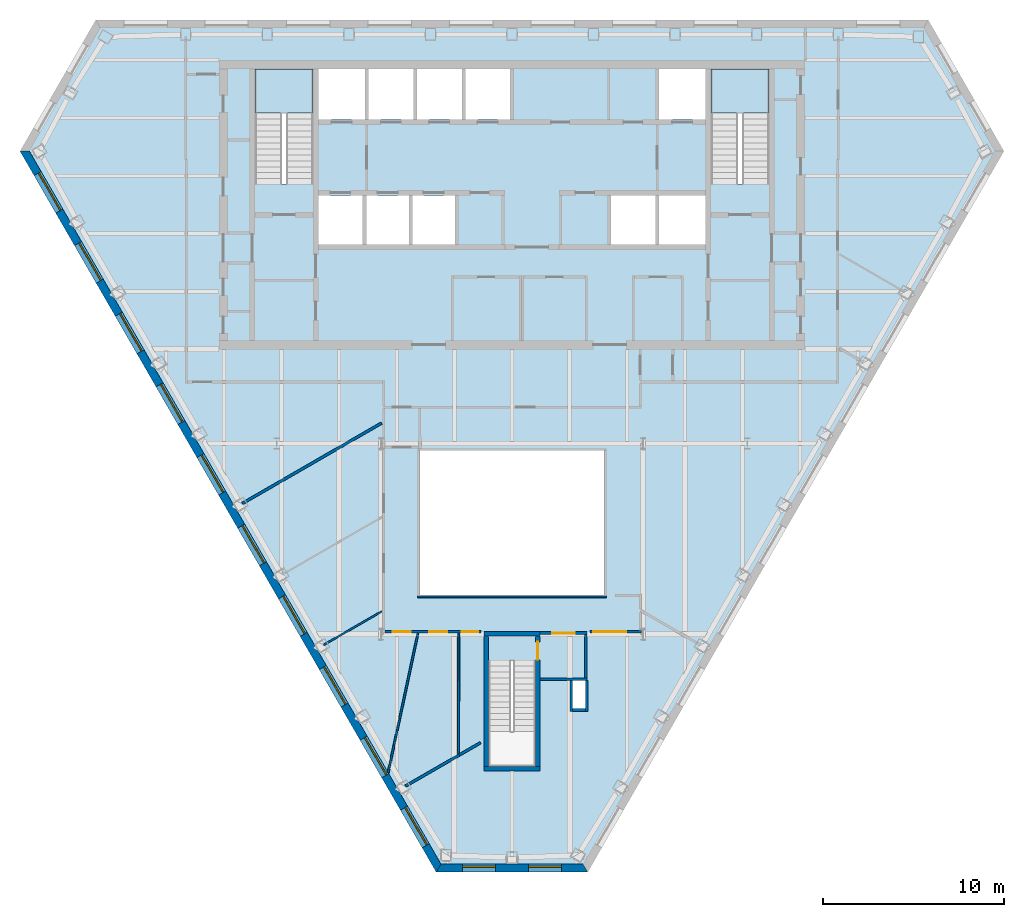
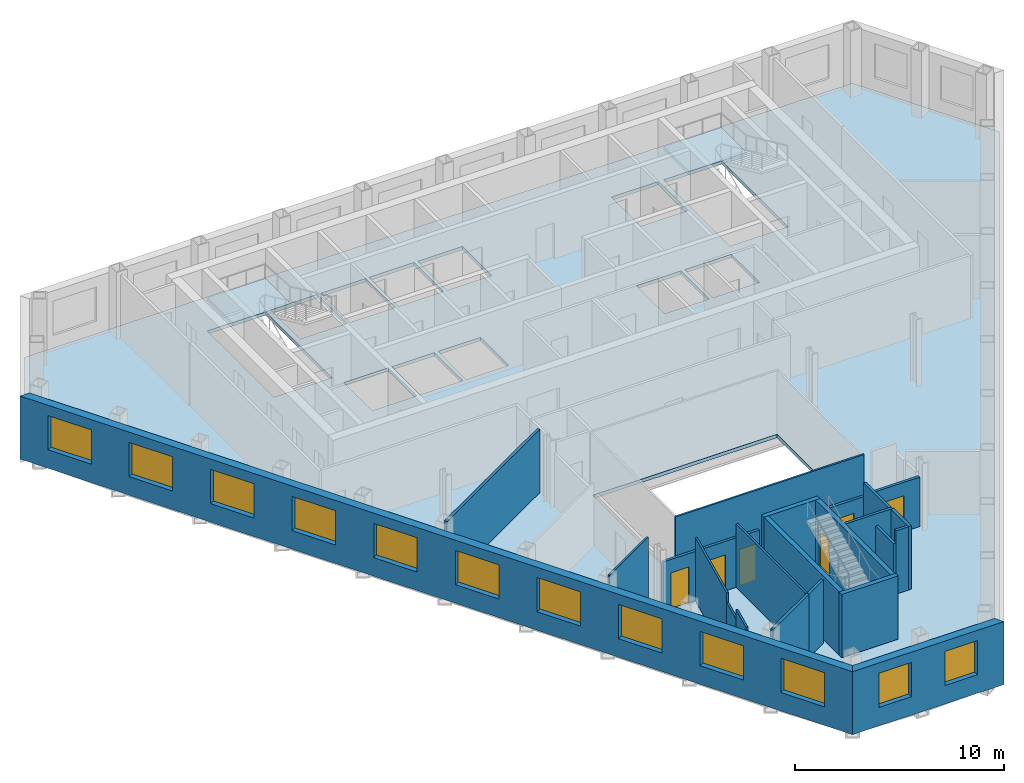
# One storey, part 4 of 11: 23 walls, 12 windows, 6 doors, 3 slabs, 18 openings, 2 elements without a shape of their own.
"""IFC4 building model written with IfcOpenShell, lengths in metres."""

import ifcopenshell
import ifcopenshell.guid

model = None  # the IFC model being written
_history = None  # IfcOwnerHistory: only IFC2X3 demands one
_inside = {}  # id of a spatial element -> (the spatial element, [elements in it])
_under = {}  # id of a project, library or spatial element -> (it, [spatial elements below it])
_declared = {}  # id of a project -> (the project, [libraries it declares])
_typed = {}  # id of a type object -> (the type object, [elements of that type])
_made_of = {}  # id of a material, layer set ... -> (it, [elements and type objects made of it])


def new_model(schema):
    """Start an empty IFC model of exactly this schema.

    Asked for "IFC4X3", IfcOpenShell would pick the latest addendum, in which some entities
    have other attributes; the version numbers below select the first issue.
    IFC2X3 requires an IfcOwnerHistory on every rooted entity: one is made here for all.
    """
    global model, _history
    if schema == "IFC4X3":
        model = ifcopenshell.file(schema_version=(4, 3, 0, 0))
    else:
        model = ifcopenshell.file(schema=schema)
    _inside.clear()
    _under.clear()
    _declared.clear()
    _typed.clear()
    _made_of.clear()
    _history = None
    if model.schema == "IFC2X3":
        org = make("IfcOrganization", Name="unknown")
        user = make(
            "IfcPersonAndOrganization",
            ThePerson=make("IfcPerson", FamilyName="unknown"),
            TheOrganization=org,
        )
        app = make(
            "IfcApplication",
            ApplicationDeveloper=org,
            Version="unknown",
            ApplicationFullName="unknown",
            ApplicationIdentifier="unknown",
        )
        _history = make(
            "IfcOwnerHistory",
            OwningUser=user,
            OwningApplication=app,
            ChangeAction="ADDED",
            CreationDate=0,
        )
    return model


def make(cls, **values):
    """One entity of the class cls with the attributes given. An attribute that is None is left unset."""
    return model.create_entity(
        cls, **{name: value for name, value in values.items() if value is not None}
    )


def rooted(cls, **values):
    """An entity with a GlobalId (a new one), such as an element, a storey or a relation."""
    return make(cls, GlobalId=ifcopenshell.guid.new(), OwnerHistory=_history, **values)


def si_unit(unit_type, name, prefix=None):
    """IfcSIUnit, for example si_unit("LENGTHUNIT", "METRE", prefix="MILLI")."""
    return make("IfcSIUnit", UnitType=unit_type, Prefix=prefix, Name=name)


def assignment(units):
    """IfcUnitAssignment: the units of a project."""
    return None if units is None else make("IfcUnitAssignment", Units=units)


def point(xyz):
    """IfcCartesianPoint."""
    return None if xyz is None else make("IfcCartesianPoint", Coordinates=xyz)


def direction(xyz):
    """IfcDirection."""
    return None if xyz is None else make("IfcDirection", DirectionRatios=xyz)


def frame(location, z_axis=None, x_axis=None):
    """IfcAxis2Placement3D, a coordinate frame: its origin and axes. An axis left out is left unset."""
    return make(
        "IfcAxis2Placement3D",
        Location=point(location),
        Axis=direction(z_axis),
        RefDirection=direction(x_axis),
    )


def frame_2d(location, x_axis=None):
    """IfcAxis2Placement2D, a coordinate frame in the plane: its origin and x axis."""
    return make(
        "IfcAxis2Placement2D", Location=point(location), RefDirection=direction(x_axis)
    )


def origin():
    """The frame at (0, 0, 0) with its axes left unset."""
    return frame((0.0, 0.0, 0.0))


def place(relative_to, where):
    """IfcLocalPlacement: puts the frame where relative to a parent placement (None: the world)."""
    return make(
        "IfcLocalPlacement", PlacementRelTo=relative_to, RelativePlacement=where
    )


def context(
    kind, dimensions, precision=None, world=None, true_north=None, identifier=None
):
    """IfcGeometricRepresentationContext, for example the 3D "Model" context."""
    return make(
        "IfcGeometricRepresentationContext",
        ContextIdentifier=identifier,
        ContextType=kind,
        CoordinateSpaceDimension=dimensions,
        Precision=precision,
        WorldCoordinateSystem=world,
        TrueNorth=true_north,
    )


def subcontext(parent, identifier, kind, view, scale=None):
    """IfcGeometricRepresentationSubContext, for example "Body" below "Model"."""
    return make(
        "IfcGeometricRepresentationSubContext",
        ContextIdentifier=identifier,
        ContextType=kind,
        ParentContext=parent,
        TargetScale=scale,
        TargetView=view,
    )


def project(units=None, contexts=None):
    """IfcProject with its units and contexts."""
    return rooted(
        "IfcProject",
        Name="project",
        RepresentationContexts=contexts,
        UnitsInContext=assignment(units),
    )


def spatial(cls, under=None, at=None, **own):
    """A site, building, storey or space (cls), placed at a placement, below another one or the project."""
    s = rooted(cls, ObjectPlacement=at, **own)
    if under is not None:
        _under.setdefault(under.id(), (under, []))[1].append(s)
    return s


def polyline(points):
    """IfcPolyline through the points."""
    return make("IfcPolyline", Points=[point(p) for p in points])


def profile(cls, at=None, kind="AREA", **sizes):
    """A parametric profile (cls). Its sizes go by their IFC names, for example OverallWidth=200.0."""
    return make(cls, ProfileType=kind, Position=at, **sizes)


def rectangle(**sizes):
    """IfcRectangleProfileDef."""
    return profile("IfcRectangleProfileDef", **sizes)


def outline(outer, holes=None, kind="AREA"):
    """IfcArbitraryClosedProfileDef: a profile drawn as a closed curve; with holes, ...WithVoids."""
    if holes is None:
        return make("IfcArbitraryClosedProfileDef", ProfileType=kind, OuterCurve=outer)
    return make(
        "IfcArbitraryProfileDefWithVoids",
        ProfileType=kind,
        OuterCurve=outer,
        InnerCurves=holes,
    )


def extrude(swept, where, along, depth):
    """IfcExtrudedAreaSolid: the profile swept, set in the frame where, extruded along a direction by depth."""
    return make(
        "IfcExtrudedAreaSolid",
        SweptArea=swept,
        Position=where,
        ExtrudedDirection=direction(along),
        Depth=depth,
    )


def shape(context_of_items, identifier, shape_type, items):
    """IfcShapeRepresentation: the items that make up one representation, for example the "Body"."""
    return make(
        "IfcShapeRepresentation",
        ContextOfItems=context_of_items,
        RepresentationIdentifier=identifier,
        RepresentationType=shape_type,
        Items=items,
    )


def material(Name=None, Category=None):
    """IfcMaterial."""
    return make("IfcMaterial", Name=Name, Category=Category)


def layer(
    of_material, thickness, ventilated=None, Name=None, Category=None, Priority=None
):
    """IfcMaterialLayer: one layer of a wall or slab, of a material (None: an air gap)."""
    return make(
        "IfcMaterialLayer",
        Material=of_material,
        LayerThickness=thickness,
        IsVentilated=ventilated,
        Name=Name,
        Category=Category,
        Priority=Priority,
    )


def layer_set(layers, Name=None):
    """IfcMaterialLayerSet."""
    return make("IfcMaterialLayerSet", MaterialLayers=layers, LayerSetName=Name)


def made_of(thing, what):
    """Note that an element or type object is made of a material, layer set ...; save() writes the relation."""
    if what is not None:
        _made_of.setdefault(what.id(), (what, []))[1].append(thing)
    return thing


def type_object(cls, material=None, **own):
    """A type object (cls), such as IfcWallType, which elements share."""
    return made_of(rooted(cls, **own), material)


def element(
    cls,
    number,
    at=None,
    inside=None,
    cuts=None,
    type_object=None,
    material=None,
    context=None,
    identifier="Body",
    shape_type=None,
    held_by="IfcProductDefinitionShape",
    body=None,
    shapes=None,
    **own,
):
    """One element of the class cls, such as IfcWall. Its Tag is "e" and its number.

    at: its placement. inside: the storey or other place that contains it. cuts: it is an
    opening in that element (IfcRelVoidsElement). A single representation is given by context,
    identifier, shape_type and body (its items); several are given by shapes. held_by: the class
    of the entity that holds the representations. save() writes the other relations.
    """
    e = rooted(cls, Tag="e%d" % number, ObjectPlacement=at, **own)
    if body is not None:
        shapes = [shape(context, identifier, shape_type, body)]
    if shapes is not None:
        e.Representation = make(held_by, Representations=shapes)
    if inside is not None:
        _inside.setdefault(inside.id(), (inside, []))[1].append(e)
    if cuts is not None:
        rooted(
            "IfcRelVoidsElement", RelatingBuildingElement=cuts, RelatedOpeningElement=e
        )
    if type_object is not None:
        _typed.setdefault(type_object.id(), (type_object, []))[1].append(e)
    return made_of(e, material)


def fill(opening, filler):
    """IfcRelFillsElement: the door or window that sits in an opening."""
    return rooted(
        "IfcRelFillsElement",
        RelatingOpeningElement=opening,
        RelatedBuildingElement=filler,
    )


def aggregate(whole, parts):
    """IfcRelAggregates: a whole, such as a stair, and the parts it consists of."""
    return rooted("IfcRelAggregates", RelatingObject=whole, RelatedObjects=parts)


def save(model, path):
    """Write the relations noted so far, then the file.

    IfcRelAggregates (storeys below a building ...), IfcRelContainedInSpatialStructure (elements
    in a storey), IfcRelDefinesByType, IfcRelAssociatesMaterial and IfcRelDeclares: one each for
    every whole, place, type object, material and project.
    """
    for whole, parts in _under.values():
        aggregate(whole, parts)
    for where, things in _inside.values():
        rooted(
            "IfcRelContainedInSpatialStructure",
            RelatedElements=things,
            RelatingStructure=where,
        )
    for kind, things in _typed.values():
        rooted("IfcRelDefinesByType", RelatedObjects=things, RelatingType=kind)
    for what, things in _made_of.values():
        rooted("IfcRelAssociatesMaterial", RelatedObjects=things, RelatingMaterial=what)
    for by, libraries in _declared.values():
        rooted("IfcRelDeclares", RelatingContext=by, RelatedDefinitions=libraries)
    model.write(path)


model = new_model("IFC4")

# Units and contexts
model_context = context("Model", 3, precision=1e-05, world=origin(), true_north=direction((0.0, 1.0)))
body_context = subcontext(model_context, "Body", "Model", "MODEL_VIEW")
ifc_project = project(units=[si_unit("LENGTHUNIT", "METRE"), si_unit("AREAUNIT", "SQUARE_METRE"), si_unit("VOLUMEUNIT", "CUBIC_METRE"), si_unit("PLANEANGLEUNIT", "RADIAN"), si_unit("MASSUNIT", "GRAM", prefix="KILO")], contexts=[model_context])

# Site, building, storey
site_placement = place(None, origin())
site = spatial("IfcSite", under=ifc_project, at=site_placement, CompositionType="ELEMENT")
building_placement = place(site_placement, origin())
building = spatial("IfcBuilding", under=site, at=building_placement, Name="Njiva Tower", CompositionType="ELEMENT")
storey_placement = place(building_placement, frame((0.0, 0.0, 163.2)))
storey = spatial("IfcBuildingStorey", under=building, at=storey_placement, Name="L35", CompositionType="ELEMENT", Elevation=163.2)

# Stair, slab
ifc_material_1 = material(Name="Concrete C40/50", Category="concrete")
stair_type = type_object("IfcStairType", Name="ST4 Exit stair 1500", PredefinedType="HALF_TURN_STAIR", material=ifc_material_1)
stair_1_placement = place(storey_placement, origin())
stair_1 = element("IfcStair", 1, at=stair_1_placement, inside=storey, type_object=stair_type, Name="Stair A", PredefinedType="HALF_TURN_STAIR")
ifc_layer_1 = layer(ifc_material_1, 0.2)
ifc_layer_set_1 = layer_set([ifc_layer_1], Name="Concrete C40/50")
slab_type_1 = type_object("IfcSlabType", Name="FL9 Stair landing 200", PredefinedType="LANDING", material=ifc_layer_set_1)
slab_1_placement = place(storey_placement, frame((0.0, 0.0, 1.75)))
slab_1 = element("IfcSlab", 2, at=slab_1_placement, type_object=slab_type_1, Name="ST-A landing 1", PredefinedType="LANDING", context=body_context, shape_type="SweptSolid", body=[
    extrude(outline(polyline([(-14.206, 15.06), (-10.994, 15.06), (-10.994, 17.5), (-14.206, 17.5), (-14.206, 15.06)])), origin(), (0.0, 0.0, 1.0), 0.2),
])
aggregate(stair_1, [slab_1])

stair_2_placement = place(storey_placement, origin())
stair_2 = element("IfcStair", 3, at=stair_2_placement, inside=storey, type_object=stair_type, Name="Stair B", PredefinedType="HALF_TURN_STAIR")
slab_2_placement = place(storey_placement, frame((0.0, 0.0, 1.75)))
slab_2 = element("IfcSlab", 4, at=slab_2_placement, type_object=slab_type_1, Name="ST-B landing 1", PredefinedType="LANDING", context=body_context, shape_type="SweptSolid", body=[
    extrude(outline(polyline([(10.994, 15.06), (14.206, 15.06), (14.206, 17.5), (10.994, 17.5), (10.994, 15.06)])), origin(), (0.0, 0.0, 1.0), 0.2),
])
aggregate(stair_2, [slab_2])

# Slab
ifc_material_2 = material(Name="Concrete C30/37", Category="concrete")
ifc_layer_2 = layer(ifc_material_2, 0.2)
ifc_layer_set_2 = layer_set([ifc_layer_2], Name="Concrete C30/37")
slab_type_2 = type_object("IfcSlabType", Name="SL16 Composite floor slab 200", PredefinedType="FLOOR", material=ifc_layer_set_2)
slab_3_placement = place(storey_placement, frame((0.0, 0.0, -0.2)))
element("IfcSlab", 5, at=slab_3_placement, inside=storey, type_object=slab_type_2, Name="Floor slab L35", PredefinedType="FLOOR", context=body_context, shape_type="SweptSolid", body=[
    extrude(outline(polyline([(26.9252, 12.9514), (4.0551, -26.6608), (-4.0551, -26.6608), (-26.9252, 12.9514), (-22.8701, 19.975), (22.8701, 19.975), (26.9252, 12.9514)]), holes=[polyline([(10.994, 11.13), (14.206, 11.13), (14.206, 17.5), (10.994, 17.5), (10.994, 11.13)]), polyline([(8.125, 14.7), (10.7, 14.7), (10.7, 17.5), (8.125, 17.5), (8.125, 14.7)]), polyline([(8.1333, 7.8), (10.7, 7.8), (10.7, 10.5), (8.1333, 10.5), (8.1333, 7.8)]), polyline([(5.4667, 7.8), (7.9333, 7.8), (7.9333, 10.5), (5.4667, 10.5), (5.4667, 7.8)]), polyline([(5.09, -11.6), (5.09, -3.6), (-5.09, -3.6), (-5.09, -11.6), (5.09, -11.6)]), polyline([(3.35, -17.85), (4.05, -17.85), (4.05, -16.3), (3.35, -16.3), (3.35, -17.85)]), polyline([(-1.306, -21.05), (1.306, -21.05), (1.306, -15.19), (-1.306, -15.19), (-1.306, -21.05)]), polyline([(-2.575, 14.7), (-0.1, 14.7), (-0.1, 17.5), (-2.575, 17.5), (-2.575, 14.7)]), polyline([(-5.25, 14.7), (-2.775, 14.7), (-2.775, 17.5), (-5.25, 17.5), (-5.25, 14.7)]), polyline([(-5.5, 7.8), (-3.15, 7.8), (-3.15, 10.5), (-5.5, 10.5), (-5.5, 7.8)]), polyline([(-7.925, 14.7), (-5.45, 14.7), (-5.45, 17.5), (-7.925, 17.5), (-7.925, 14.7)]), polyline([(-8.05, 7.8), (-5.7, 7.8), (-5.7, 10.5), (-8.05, 10.5), (-8.05, 7.8)]), polyline([(-10.7, 14.7), (-8.125, 14.7), (-8.125, 17.5), (-10.7, 17.5), (-10.7, 14.7)]), polyline([(-8.25, 7.8), (-8.25, 10.5), (-10.7, 10.5), (-10.7, 7.8), (-8.25, 7.8)]), polyline([(-14.206, 11.13), (-10.994, 11.13), (-10.994, 17.5), (-14.206, 17.5), (-14.206, 11.13)])]), origin(), (0.0, 0.0, 1.0), 0.2),
])

# Walls
ifc_material_3 = material(Name="Gypsum board on steel studs", Category="gypsum")
ifc_layer_3 = layer(ifc_material_3, 0.1)
ifc_layer_set_3 = layer_set([ifc_layer_3], Name="Gypsum board on steel studs")
wall_type_1 = type_object("IfcWallType", Name="WT20 Gypsum partition 100", PredefinedType="PARTITIONING", material=ifc_layer_set_3)
wall_1_placement = place(storey_placement, frame((-10.398, -14.325, 0.0), z_axis=(0.0, 0.0, 1.0), x_axis=(0.866041729639, 0.499971721724, 0.0)))
element("IfcWall", 6, at=wall_1_placement, inside=storey, type_object=wall_type_1, Name="Partition S12-P007", PredefinedType="PARTITIONING", context=body_context, shape_type="SweptSolid", body=[
    extrude(rectangle(XDim=3.7042, YDim=0.1, at=frame_2d((1.8521, 0.0))), origin(), (0.0, 0.0, 1.0), 3.7),
])
wall_2_placement = place(storey_placement, frame((-6.844, -21.38, 0.0), z_axis=(0.0, 0.0, 1.0), x_axis=(0.209529088731, 0.977802414077, 0.0)))
element("IfcWall", 7, at=wall_2_placement, inside=storey, type_object=wall_type_1, Name="Partition S12-P013", PredefinedType="PARTITIONING", context=body_context, shape_type="SweptSolid", body=[
    extrude(rectangle(XDim=1.542, YDim=0.1, at=frame_2d((0.771, 0.0))), origin(), (0.0, 0.0, 1.0), 3.7),
])
wall_3_placement = place(storey_placement, frame((-6.5209, -19.8722, 0.0), z_axis=(0.0, 0.0, 1.0), x_axis=(0.209543036328, 0.977799425203, 0.0)))
element("IfcWall", 8, at=wall_3_placement, inside=storey, type_object=wall_type_1, Name="Partition S12-P013A", PredefinedType="PARTITIONING", context=body_context, shape_type="SweptSolid", body=[
    extrude(rectangle(XDim=1.4689, YDim=0.1, at=frame_2d((0.7345, 0.0))), origin(), (0.0, 0.0, 1.0), 3.15),
])
wall_4_placement = place(storey_placement, frame((-6.2131, -18.4359, 0.0), z_axis=(0.0, 0.0, 1.0), x_axis=(0.209538927619, 0.977800305692, 0.0)))
element("IfcWall", 9, at=wall_4_placement, inside=storey, type_object=wall_type_1, Name="Partition S12-P013B", PredefinedType="PARTITIONING", context=body_context, shape_type="SweptSolid", body=[
    extrude(rectangle(XDim=4.8588, YDim=0.1, at=frame_2d((2.4294, 0.0))), origin(), (0.0, 0.0, 1.0), 3.7),
])
wall_5_placement = place(storey_placement, frame((-2.959, -20.324, 0.0), z_axis=(0.0, 0.0, 1.0), x_axis=(0.0028575609, 0.999995917165, 0.0)))
element("IfcWall", 10, at=wall_5_placement, inside=storey, type_object=wall_type_1, Name="Partition S12-P016", PredefinedType="PARTITIONING", context=body_context, shape_type="SweptSolid", body=[
    extrude(rectangle(XDim=6.649, YDim=0.1, at=frame_2d((3.3245, 0.0))), origin(), (0.0, 0.0, 1.0), 3.7),
])
ifc_layer_4 = layer(ifc_material_3, 0.15)
ifc_layer_set_4 = layer_set([ifc_layer_4], Name="Gypsum board on steel studs")
wall_type_2 = type_object("IfcWallType", Name="WT21 Compartment wall 150", PredefinedType="PARTITIONING", material=ifc_layer_set_4)
wall_6_placement = place(storey_placement, frame((-14.906, -6.516, 0.0), z_axis=(0.0, 0.0, 1.0), x_axis=(0.866138783521, 0.499803569096, 0.0)))
element("IfcWall", 11, at=wall_6_placement, inside=storey, type_object=wall_type_2, Name="Partition S12-P005", PredefinedType="PARTITIONING", context=body_context, shape_type="SweptSolid", body=[
    extrude(rectangle(XDim=8.8935, YDim=0.15, at=frame_2d((4.4468, 0.0))), origin(), (0.0, 0.0, 1.0), 3.7),
])

# Wall, openings, doors
wall_7_placement = place(storey_placement, frame((-7.015, -13.6, 0.0), z_axis=(0.0, 0.0, 1.0), x_axis=(1.0, 0.0, 0.0)))
wall_7 = element("IfcWall", 12, at=wall_7_placement, inside=storey, type_object=wall_type_2, Name="Partition S12-P012", PredefinedType="PARTITIONING", context=body_context, shape_type="SweptSolid", body=[
    extrude(rectangle(XDim=5.315, YDim=0.15, at=frame_2d((2.6575, 0.0))), origin(), (0.0, 0.0, 1.0), 2.886),
])
opening_1_placement = place(wall_7_placement, frame((0.419, 0.0, 0.0)))
opening_1 = element("IfcOpeningElement", 13, at=opening_1_placement, cuts=wall_7, Name="Opening S12-D008", PredefinedType="OPENING", context=body_context, shape_type="SweptSolid", body=[
    extrude(rectangle(XDim=1.0, YDim=2.1, at=frame_2d((0.5, 1.05))), frame((0.0, 0.085, 0.0), z_axis=(0.0, -1.0, 0.0), x_axis=(1.0, 0.0, 0.0)), (0.0, 0.0, 1.0), 0.17),
])
opening_2_placement = place(wall_7_placement, frame((2.44, 0.0, 0.0)))
opening_2 = element("IfcOpeningElement", 14, at=opening_2_placement, cuts=wall_7, Name="Opening S12-D009", PredefinedType="OPENING", context=body_context, shape_type="SweptSolid", body=[
    extrude(rectangle(XDim=1.0, YDim=2.1, at=frame_2d((0.5, 1.05))), frame((0.0, 0.085, 0.0), z_axis=(0.0, -1.0, 0.0), x_axis=(1.0, 0.0, 0.0)), (0.0, 0.0, 1.0), 0.17),
])
opening_3_placement = place(wall_7_placement, frame((4.245, 0.0, 0.0)))
opening_3 = element("IfcOpeningElement", 15, at=opening_3_placement, cuts=wall_7, Name="Opening S12-D010", PredefinedType="OPENING", context=body_context, shape_type="SweptSolid", body=[
    extrude(rectangle(XDim=0.9, YDim=2.1, at=frame_2d((0.45, 1.05))), frame((0.0, 0.085, 0.0), z_axis=(0.0, -1.0, 0.0), x_axis=(1.0, 0.0, 0.0)), (0.0, 0.0, 1.0), 0.17),
])
ifc_material_4 = material(Name="Steel fire door set", Category="steel")
door_type_1 = type_object("IfcDoorType", Name="D36 Fire door 900x2100", OperationType="SINGLE_SWING_LEFT", PredefinedType="DOOR", material=ifc_material_4)
door_1_placement = place(opening_3_placement, origin())
door_1 = element("IfcDoor", 16, at=door_1_placement, inside=storey, type_object=door_type_1, Name="Door S12-D010", OperationType="SINGLE_SWING_RIGHT", OverallHeight=2.1, OverallWidth=0.9, PredefinedType="DOOR", context=body_context, shape_type="SweptSolid", body=[
    extrude(rectangle(XDim=0.9, YDim=2.1, at=frame_2d((0.45, 1.05))), frame((0.0, 0.025, 0.0), z_axis=(0.0, -1.0, 0.0), x_axis=(1.0, 0.0, 0.0)), (0.0, 0.0, 1.0), 0.05),
])
fill(opening_3, door_1)
door_type_2 = type_object("IfcDoorType", Name="D37 Fire door 1000x2100", OperationType="SINGLE_SWING_LEFT", PredefinedType="DOOR", material=ifc_material_4)
door_2_placement = place(opening_1_placement, origin())
door_2 = element("IfcDoor", 17, at=door_2_placement, inside=storey, type_object=door_type_2, Name="Door S12-D008", OperationType="SINGLE_SWING_LEFT", OverallHeight=2.1, OverallWidth=1.0, PredefinedType="DOOR", context=body_context, shape_type="SweptSolid", body=[
    extrude(rectangle(XDim=1.0, YDim=2.1, at=frame_2d((0.5, 1.05))), frame((0.0, 0.025, 0.0), z_axis=(0.0, -1.0, 0.0), x_axis=(1.0, 0.0, 0.0)), (0.0, 0.0, 1.0), 0.05),
])
fill(opening_1, door_2)
door_3_placement = place(opening_2_placement, origin())
door_3 = element("IfcDoor", 18, at=door_3_placement, inside=storey, type_object=door_type_2, Name="Door S12-D009", OperationType="SINGLE_SWING_RIGHT", OverallHeight=2.1, OverallWidth=1.0, PredefinedType="DOOR", context=body_context, shape_type="SweptSolid", body=[
    extrude(rectangle(XDim=1.0, YDim=2.1, at=frame_2d((0.5, 1.05))), frame((0.0, 0.025, 0.0), z_axis=(0.0, -1.0, 0.0), x_axis=(1.0, 0.0, 0.0)), (0.0, 0.0, 1.0), 0.05),
])
fill(opening_2, door_3)

# Walls
wall_8_placement = place(storey_placement, frame((-5.89, -22.132, 0.0), z_axis=(0.0, 0.0, 1.0), x_axis=(0.866030409726, 0.499991329354, 0.0)))
element("IfcWall", 19, at=wall_8_placement, inside=storey, type_object=wall_type_2, Name="Partition S12-P014", PredefinedType="PARTITIONING", context=body_context, shape_type="SweptSolid", body=[
    extrude(rectangle(XDim=3.4341, YDim=0.15, at=frame_2d((1.717, 0.0))), origin(), (0.0, 0.0, 1.0), 3.7),
])
wall_9_placement = place(storey_placement, frame((-2.916, -20.415, 0.0), z_axis=(0.0, 0.0, 1.0), x_axis=(0.865426285481, 0.501036270542, 0.0)))
element("IfcWall", 20, at=wall_9_placement, inside=storey, type_object=wall_type_2, Name="Partition S12-P017", PredefinedType="PARTITIONING", context=body_context, shape_type="SweptSolid", body=[
    extrude(rectangle(XDim=1.3612, YDim=0.15, at=frame_2d((0.6806, 0.0))), origin(), (0.0, 0.0, 1.0), 3.7),
])

# Wall, opening, door
wall_10_placement = place(storey_placement, frame((4.3, -13.6, 0.0), z_axis=(0.0, 0.0, 1.0), x_axis=(1.0, 0.0, 0.0)))
wall_10 = element("IfcWall", 21, at=wall_10_placement, inside=storey, type_object=wall_type_2, Name="Partition S12-P018", PredefinedType="PARTITIONING", context=body_context, shape_type="SweptSolid", body=[
    extrude(rectangle(XDim=2.865, YDim=0.15, at=frame_2d((1.4325, 0.0))), origin(), (0.0, 0.0, 1.0), 2.886),
])
opening_4_placement = place(wall_10_placement, frame((0.2, 0.0, 0.0)))
opening_4 = element("IfcOpeningElement", 22, at=opening_4_placement, cuts=wall_10, Name="Opening S12-D011", PredefinedType="OPENING", context=body_context, shape_type="SweptSolid", body=[
    extrude(rectangle(XDim=1.8, YDim=2.1, at=frame_2d((0.9, 1.05))), frame((0.0, 0.085, 0.0), z_axis=(0.0, -1.0, 0.0), x_axis=(1.0, 0.0, 0.0)), (0.0, 0.0, 1.0), 0.17),
])
door_type_3 = type_object("IfcDoorType", Name="D38 Fire door 1800x2100", OperationType="DOUBLE_DOOR_SINGLE_SWING", PredefinedType="DOOR", material=ifc_material_4)
door_4_placement = place(opening_4_placement, origin())
door_4 = element("IfcDoor", 23, at=door_4_placement, inside=storey, type_object=door_type_3, Name="Door S12-D011", OperationType="DOUBLE_DOOR_SINGLE_SWING", OverallHeight=2.1, OverallWidth=1.8, PredefinedType="DOOR", context=body_context, shape_type="SweptSolid", body=[
    extrude(rectangle(XDim=1.8, YDim=2.1, at=frame_2d((0.9, 1.05))), frame((0.0, 0.025, 0.0), z_axis=(0.0, -1.0, 0.0), x_axis=(1.0, 0.0, 0.0)), (0.0, 0.0, 1.0), 0.05),
])
fill(opening_4, door_4)

# Walls
ifc_material_5 = material(Name="Blockwork", Category="masonry")
ifc_layer_5 = layer(ifc_material_5, 0.15)
ifc_layer_set_5 = layer_set([ifc_layer_5], Name="Blockwork")
wall_type_3 = type_object("IfcWallType", Name="WT4 Stair partition 150", PredefinedType="PARTITIONING", material=ifc_layer_set_5)
wall_11_placement = place(storey_placement, frame((1.55, -16.225, 0.0), z_axis=(0.0, 0.0, 1.0), x_axis=(1.0, 0.0, 0.0)))
element("IfcWall", 24, at=wall_11_placement, inside=storey, type_object=wall_type_3, Name="Stair C vestibule wall south", PredefinedType="PARTITIONING", context=body_context, shape_type="SweptSolid", body=[
    extrude(rectangle(XDim=2.6, YDim=0.15, at=frame_2d((1.3, 0.0))), origin(), (0.0, 0.0, 1.0), 3.7),
])
wall_12_placement = place(storey_placement, frame((4.075, -16.15, 0.0), z_axis=(0.0, 0.0, 1.0), x_axis=(0.0, 1.0, 0.0)))
element("IfcWall", 25, at=wall_12_placement, inside=storey, type_object=wall_type_3, Name="Stair C vestibule wall east", PredefinedType="PARTITIONING", context=body_context, shape_type="SweptSolid", body=[
    extrude(rectangle(XDim=2.4, YDim=0.15, at=frame_2d((1.2, 0.0))), origin(), (0.0, 0.0, 1.0), 3.7),
])

# Wall, opening, door
wall_13_placement = place(storey_placement, frame((1.55, -13.675, 0.0), z_axis=(0.0, 0.0, 1.0), x_axis=(1.0, 0.0, 0.0)))
wall_13 = element("IfcWall", 26, at=wall_13_placement, inside=storey, type_object=wall_type_3, Name="Stair C vestibule wall north", PredefinedType="PARTITIONING", context=body_context, shape_type="SweptSolid", body=[
    extrude(rectangle(XDim=2.6, YDim=0.15, at=frame_2d((1.3, 0.0))), origin(), (0.0, 0.0, 1.0), 2.886),
])
opening_5_placement = place(wall_13_placement, frame((0.675, 0.0, 0.0)))
opening_5 = element("IfcOpeningElement", 27, at=opening_5_placement, cuts=wall_13, Name="Opening S12-D940", PredefinedType="OPENING", context=body_context, shape_type="SweptSolid", body=[
    extrude(rectangle(XDim=1.25, YDim=2.1, at=frame_2d((0.625, 1.05))), frame((0.0, 0.085, 0.0), z_axis=(0.0, -1.0, 0.0), x_axis=(1.0, 0.0, 0.0)), (0.0, 0.0, 1.0), 0.17),
])
ifc_material_6 = material(Name="Glazed steel fire door", Category="steel")
door_type_4 = type_object("IfcDoorType", Name="D8 Vestibule corridor door 1250x2100 glazed", OperationType="SINGLE_SWING_LEFT", PredefinedType="DOOR", material=ifc_material_6)
door_5_placement = place(opening_5_placement, origin())
door_5 = element("IfcDoor", 28, at=door_5_placement, inside=storey, type_object=door_type_4, Name="Stair vestibule corridor door", OperationType="SINGLE_SWING_RIGHT", OverallHeight=2.1, OverallWidth=1.25, PredefinedType="DOOR", context=body_context, shape_type="SweptSolid", body=[
    extrude(rectangle(XDim=1.25, YDim=2.1, at=frame_2d((0.625, 1.05))), frame((0.0, 0.025, 0.0), z_axis=(0.0, -1.0, 0.0), x_axis=(1.0, 0.0, 0.0)), (0.0, 0.0, 1.0), 0.05),
])
fill(opening_5, door_5)

# Walls
wall_14_placement = place(storey_placement, frame((3.275, -18.0, 0.0), z_axis=(0.0, 0.0, 1.0), x_axis=(0.0, 1.0, 0.0)))
element("IfcWall", 29, at=wall_14_placement, inside=storey, type_object=wall_type_3, Name="Stair C pressurisation shaft wall", PredefinedType="PARTITIONING", context=body_context, shape_type="SweptSolid", body=[
    extrude(rectangle(XDim=1.7, YDim=0.15, at=frame_2d((0.85, 0.0))), origin(), (0.0, 0.0, 1.0), 3.01),
])
wall_15_placement = place(storey_placement, frame((3.35, -17.925, 0.0), z_axis=(0.0, 0.0, 1.0), x_axis=(1.0, 0.0, 0.0)))
element("IfcWall", 30, at=wall_15_placement, inside=storey, type_object=wall_type_3, Name="Stair C pressurisation shaft wall", PredefinedType="PARTITIONING", context=body_context, shape_type="SweptSolid", body=[
    extrude(rectangle(XDim=0.7, YDim=0.15, at=frame_2d((0.35, 0.0))), origin(), (0.0, 0.0, 1.0), 3.7),
])
wall_16_placement = place(storey_placement, frame((4.125, -18.0, 0.0), z_axis=(0.0, 0.0, 1.0), x_axis=(0.0, 1.0, 0.0)))
element("IfcWall", 31, at=wall_16_placement, inside=storey, type_object=wall_type_3, Name="Stair C pressurisation shaft wall", PredefinedType="PARTITIONING", context=body_context, shape_type="SweptSolid", body=[
    extrude(rectangle(XDim=1.7, YDim=0.15, at=frame_2d((0.85, 0.0))), origin(), (0.0, 0.0, 1.0), 3.7),
])
ifc_layer_6 = layer(ifc_material_1, 0.25)
ifc_layer_set_6 = layer_set([ifc_layer_6], Name="Concrete C40/50")
wall_type_4 = type_object("IfcWallType", Name="WT9 Stair enclosure wall 250", PredefinedType="SHEAR", material=ifc_layer_set_6)
wall_17_placement = place(storey_placement, frame((-1.425, -21.05, 0.0), z_axis=(0.0, 0.0, 1.0), x_axis=(0.0, 1.0, 0.0)))
element("IfcWall", 32, at=wall_17_placement, inside=storey, type_object=wall_type_4, Name="Stair C wall west", PredefinedType="SHEAR", context=body_context, shape_type="SweptSolid", body=[
    extrude(rectangle(XDim=7.2, YDim=0.25, at=frame_2d((3.6, 0.0))), origin(), (0.0, 0.0, 1.0), 3.7),
])

# Wall, opening, door
wall_18_placement = place(storey_placement, frame((1.425, -21.05, 0.0), z_axis=(0.0, 0.0, 1.0), x_axis=(0.0, 1.0, 0.0)))
wall_18 = element("IfcWall", 33, at=wall_18_placement, inside=storey, type_object=wall_type_4, Name="Stair C wall east", PredefinedType="SHEAR", context=body_context, shape_type="SweptSolid", body=[
    extrude(rectangle(XDim=7.2, YDim=0.25, at=frame_2d((3.6, 0.0))), origin(), (0.0, 0.0, 1.0), 3.7),
])
opening_6_placement = place(wall_18_placement, frame((5.89, 0.0, 0.0)))
opening_6 = element("IfcOpeningElement", 34, at=opening_6_placement, cuts=wall_18, Name="Opening S12-D939", PredefinedType="OPENING", context=body_context, shape_type="SweptSolid", body=[
    extrude(rectangle(XDim=1.0, YDim=2.1, at=frame_2d((0.5, 1.05))), frame((0.0, 0.135, 0.0), z_axis=(0.0, -1.0, 0.0), x_axis=(1.0, 0.0, 0.0)), (0.0, 0.0, 1.0), 0.27),
])
door_type_5 = type_object("IfcDoorType", Name="D9 Stair vestibule door 1000x2100 glazed", OperationType="SINGLE_SWING_LEFT", PredefinedType="DOOR", material=ifc_material_6)
door_6_placement = place(opening_6_placement, origin())
door_6 = element("IfcDoor", 35, at=door_6_placement, inside=storey, type_object=door_type_5, Name="Stair C door", OperationType="SINGLE_SWING_LEFT", OverallHeight=2.1, OverallWidth=1.0, PredefinedType="DOOR", context=body_context, shape_type="SweptSolid", body=[
    extrude(rectangle(XDim=1.0, YDim=2.1, at=frame_2d((0.5, 1.05))), frame((0.0, 0.025, 0.0), z_axis=(0.0, -1.0, 0.0), x_axis=(1.0, 0.0, 0.0)), (0.0, 0.0, 1.0), 0.05),
])
fill(opening_6, door_6)

# Walls
for number, where, z_axis, x_axis, name in (
    (36, (-1.55, -21.175, 0.0), (0.0, 0.0, 1.0), (1.0, 0.0, 0.0), "Stair C wall south"),
    (37, (-1.55, -13.725, 0.0), (0.0, 0.0, 1.0), (1.0, 0.0, 0.0), "Stair C wall north"),
):
    element("IfcWall", number, at=place(storey_placement, frame(where, z_axis=z_axis, x_axis=x_axis)), inside=storey, type_object=wall_type_4, Name=name, PredefinedType="SHEAR", context=body_context, shape_type="SweptSolid", body=[
        extrude(rectangle(XDim=3.1, YDim=0.25, at=frame_2d((1.55, 0.0))), origin(), (0.0, 0.0, 1.0), 3.7),
    ])

# Wall, openings, windows
ifc_material_7 = material(Name="Brick masonry", Category="masonry")
ifc_layer_7 = layer(ifc_material_7, 0.45)
ifc_layer_set_7 = layer_set([ifc_layer_7], Name="Brick masonry")
wall_type_5 = type_object("IfcWallType", Name="WT90 Brick pier and spandrel wall 450", PredefinedType="SOLIDWALL", material=ifc_layer_set_7)
wall_19_placement = place(storey_placement, frame((-26.9252, 12.9514, -0.18), z_axis=(0.0, 0.0, 1.0), x_axis=(0.499999764979, -0.866025539474, 0.0)))
wall_19 = element("IfcWall", 38, at=wall_19_placement, inside=storey, type_object=wall_type_5, Name="Facade wall SW", PredefinedType="SOLIDWALL", context=body_context, shape_type="SweptSolid", body=[
    extrude(outline(polyline([(-0.1299, -0.225), (45.8701, -0.225), (45.6103, 0.225), (0.1299, 0.225), (-0.1299, -0.225)])), origin(), (0.0, 0.0, 1.0), 3.68),
])
opening_7_placement = place(wall_19_placement, frame((1.4242, 0.0, 1.08)))
opening_7 = element("IfcOpeningElement", 39, at=opening_7_placement, cuts=wall_19, Name="Opening S12-W12", PredefinedType="OPENING", context=body_context, shape_type="SweptSolid", body=[
    extrude(rectangle(XDim=2.4, YDim=2.0, at=frame_2d((1.2, 1.0))), frame((0.0, 0.235, 0.0), z_axis=(0.0, -1.0, 0.0), x_axis=(1.0, 0.0, 0.0)), (0.0, 0.0, 1.0), 0.47),
])
opening_8_placement = place(wall_19_placement, frame((5.8934, 0.0, 1.08)))
opening_8 = element("IfcOpeningElement", 40, at=opening_8_placement, cuts=wall_19, Name="Opening S12-W13", PredefinedType="OPENING", context=body_context, shape_type="SweptSolid", body=[
    extrude(rectangle(XDim=2.4, YDim=2.0, at=frame_2d((1.2, 1.0))), frame((0.0, 0.235, 0.0), z_axis=(0.0, -1.0, 0.0), x_axis=(1.0, 0.0, 0.0)), (0.0, 0.0, 1.0), 0.47),
])
opening_9_placement = place(wall_19_placement, frame((10.401, 0.0, 1.08)))
opening_9 = element("IfcOpeningElement", 41, at=opening_9_placement, cuts=wall_19, Name="Opening S12-W14", PredefinedType="OPENING", context=body_context, shape_type="SweptSolid", body=[
    extrude(rectangle(XDim=2.4, YDim=2.0, at=frame_2d((1.2, 1.0))), frame((0.0, 0.235, 0.0), z_axis=(0.0, -1.0, 0.0), x_axis=(1.0, 0.0, 0.0)), (0.0, 0.0, 1.0), 0.47),
])
opening_10_placement = place(wall_19_placement, frame((14.9087, 0.0, 1.08)))
opening_10 = element("IfcOpeningElement", 42, at=opening_10_placement, cuts=wall_19, Name="Opening S12-W15", PredefinedType="OPENING", context=body_context, shape_type="SweptSolid", body=[
    extrude(rectangle(XDim=2.4, YDim=2.0, at=frame_2d((1.2, 1.0))), frame((0.0, 0.235, 0.0), z_axis=(0.0, -1.0, 0.0), x_axis=(1.0, 0.0, 0.0)), (0.0, 0.0, 1.0), 0.47),
])
opening_11_placement = place(wall_19_placement, frame((19.4163, 0.0, 1.08)))
opening_11 = element("IfcOpeningElement", 43, at=opening_11_placement, cuts=wall_19, Name="Opening S12-W16", PredefinedType="OPENING", context=body_context, shape_type="SweptSolid", body=[
    extrude(rectangle(XDim=2.4, YDim=2.0, at=frame_2d((1.2, 1.0))), frame((0.0, 0.235, 0.0), z_axis=(0.0, -1.0, 0.0), x_axis=(1.0, 0.0, 0.0)), (0.0, 0.0, 1.0), 0.47),
])
opening_12_placement = place(wall_19_placement, frame((23.9239, 0.0, 1.08)))
opening_12 = element("IfcOpeningElement", 44, at=opening_12_placement, cuts=wall_19, Name="Opening S12-W17", PredefinedType="OPENING", context=body_context, shape_type="SweptSolid", body=[
    extrude(rectangle(XDim=2.4, YDim=2.0, at=frame_2d((1.2, 1.0))), frame((0.0, 0.235, 0.0), z_axis=(0.0, -1.0, 0.0), x_axis=(1.0, 0.0, 0.0)), (0.0, 0.0, 1.0), 0.47),
])
opening_13_placement = place(wall_19_placement, frame((28.4315, 0.0, 1.08)))
opening_13 = element("IfcOpeningElement", 45, at=opening_13_placement, cuts=wall_19, Name="Opening S12-W18", PredefinedType="OPENING", context=body_context, shape_type="SweptSolid", body=[
    extrude(rectangle(XDim=2.4, YDim=2.0, at=frame_2d((1.2, 1.0))), frame((0.0, 0.235, 0.0), z_axis=(0.0, -1.0, 0.0), x_axis=(1.0, 0.0, 0.0)), (0.0, 0.0, 1.0), 0.47),
])
opening_14_placement = place(wall_19_placement, frame((32.9391, 0.0, 1.08)))
opening_14 = element("IfcOpeningElement", 46, at=opening_14_placement, cuts=wall_19, Name="Opening S12-W19", PredefinedType="OPENING", context=body_context, shape_type="SweptSolid", body=[
    extrude(rectangle(XDim=2.4, YDim=2.0, at=frame_2d((1.2, 1.0))), frame((0.0, 0.235, 0.0), z_axis=(0.0, -1.0, 0.0), x_axis=(1.0, 0.0, 0.0)), (0.0, 0.0, 1.0), 0.47),
])
opening_15_placement = place(wall_19_placement, frame((37.4468, 0.0, 1.08)))
opening_15 = element("IfcOpeningElement", 47, at=opening_15_placement, cuts=wall_19, Name="Opening S12-W20", PredefinedType="OPENING", context=body_context, shape_type="SweptSolid", body=[
    extrude(rectangle(XDim=2.4, YDim=2.0, at=frame_2d((1.2, 1.0))), frame((0.0, 0.235, 0.0), z_axis=(0.0, -1.0, 0.0), x_axis=(1.0, 0.0, 0.0)), (0.0, 0.0, 1.0), 0.47),
])
opening_16_placement = place(wall_19_placement, frame((41.916, 0.0, 1.08)))
opening_16 = element("IfcOpeningElement", 48, at=opening_16_placement, cuts=wall_19, Name="Opening S12-W21", PredefinedType="OPENING", context=body_context, shape_type="SweptSolid", body=[
    extrude(rectangle(XDim=2.4, YDim=2.0, at=frame_2d((1.2, 1.0))), frame((0.0, 0.235, 0.0), z_axis=(0.0, -1.0, 0.0), x_axis=(1.0, 0.0, 0.0)), (0.0, 0.0, 1.0), 0.47),
])
ifc_material_8 = material(Name="Clear glazing in aluminium frame", Category="aluminium")
window_type_1 = type_object("IfcWindowType", Name="W90 Deep-set window 2400x2000", PartitioningType="SINGLE_PANEL", PredefinedType="WINDOW", material=ifc_material_8)
window_1_placement = place(opening_7_placement, origin())
window_1 = element("IfcWindow", 49, at=window_1_placement, inside=storey, type_object=window_type_1, Name="Window", OverallHeight=2.0, OverallWidth=2.4, PartitioningType="SINGLE_PANEL", PredefinedType="WINDOW", context=body_context, shape_type="SweptSolid", body=[
    extrude(rectangle(XDim=2.4, YDim=2.0, at=frame_2d((1.2, 1.0))), frame((0.0, 0.105, 0.0), z_axis=(0.0, -1.0, 0.0), x_axis=(1.0, 0.0, 0.0)), (0.0, 0.0, 1.0), 0.06),
])
fill(opening_7, window_1)
window_2_placement = place(opening_8_placement, origin())
window_2 = element("IfcWindow", 50, at=window_2_placement, inside=storey, type_object=window_type_1, Name="Window", OverallHeight=2.0, OverallWidth=2.4, PartitioningType="SINGLE_PANEL", PredefinedType="WINDOW", context=body_context, shape_type="SweptSolid", body=[
    extrude(rectangle(XDim=2.4, YDim=2.0, at=frame_2d((1.2, 1.0))), frame((0.0, 0.105, 0.0), z_axis=(0.0, -1.0, 0.0), x_axis=(1.0, 0.0, 0.0)), (0.0, 0.0, 1.0), 0.06),
])
fill(opening_8, window_2)
window_3_placement = place(opening_9_placement, origin())
window_3 = element("IfcWindow", 51, at=window_3_placement, inside=storey, type_object=window_type_1, Name="Window", OverallHeight=2.0, OverallWidth=2.4, PartitioningType="SINGLE_PANEL", PredefinedType="WINDOW", context=body_context, shape_type="SweptSolid", body=[
    extrude(rectangle(XDim=2.4, YDim=2.0, at=frame_2d((1.2, 1.0))), frame((0.0, 0.105, 0.0), z_axis=(0.0, -1.0, 0.0), x_axis=(1.0, 0.0, 0.0)), (0.0, 0.0, 1.0), 0.06),
])
fill(opening_9, window_3)
window_4_placement = place(opening_10_placement, origin())
window_4 = element("IfcWindow", 52, at=window_4_placement, inside=storey, type_object=window_type_1, Name="Window", OverallHeight=2.0, OverallWidth=2.4, PartitioningType="SINGLE_PANEL", PredefinedType="WINDOW", context=body_context, shape_type="SweptSolid", body=[
    extrude(rectangle(XDim=2.4, YDim=2.0, at=frame_2d((1.2, 1.0))), frame((0.0, 0.105, 0.0), z_axis=(0.0, -1.0, 0.0), x_axis=(1.0, 0.0, 0.0)), (0.0, 0.0, 1.0), 0.06),
])
fill(opening_10, window_4)
window_5_placement = place(opening_11_placement, origin())
window_5 = element("IfcWindow", 53, at=window_5_placement, inside=storey, type_object=window_type_1, Name="Window", OverallHeight=2.0, OverallWidth=2.4, PartitioningType="SINGLE_PANEL", PredefinedType="WINDOW", context=body_context, shape_type="SweptSolid", body=[
    extrude(rectangle(XDim=2.4, YDim=2.0, at=frame_2d((1.2, 1.0))), frame((0.0, 0.105, 0.0), z_axis=(0.0, -1.0, 0.0), x_axis=(1.0, 0.0, 0.0)), (0.0, 0.0, 1.0), 0.06),
])
fill(opening_11, window_5)
window_6_placement = place(opening_12_placement, origin())
window_6 = element("IfcWindow", 54, at=window_6_placement, inside=storey, type_object=window_type_1, Name="Window", OverallHeight=2.0, OverallWidth=2.4, PartitioningType="SINGLE_PANEL", PredefinedType="WINDOW", context=body_context, shape_type="SweptSolid", body=[
    extrude(rectangle(XDim=2.4, YDim=2.0, at=frame_2d((1.2, 1.0))), frame((0.0, 0.105, 0.0), z_axis=(0.0, -1.0, 0.0), x_axis=(1.0, 0.0, 0.0)), (0.0, 0.0, 1.0), 0.06),
])
fill(opening_12, window_6)
window_7_placement = place(opening_13_placement, origin())
window_7 = element("IfcWindow", 55, at=window_7_placement, inside=storey, type_object=window_type_1, Name="Window", OverallHeight=2.0, OverallWidth=2.4, PartitioningType="SINGLE_PANEL", PredefinedType="WINDOW", context=body_context, shape_type="SweptSolid", body=[
    extrude(rectangle(XDim=2.4, YDim=2.0, at=frame_2d((1.2, 1.0))), frame((0.0, 0.105, 0.0), z_axis=(0.0, -1.0, 0.0), x_axis=(1.0, 0.0, 0.0)), (0.0, 0.0, 1.0), 0.06),
])
fill(opening_13, window_7)
window_8_placement = place(opening_14_placement, origin())
window_8 = element("IfcWindow", 56, at=window_8_placement, inside=storey, type_object=window_type_1, Name="Window", OverallHeight=2.0, OverallWidth=2.4, PartitioningType="SINGLE_PANEL", PredefinedType="WINDOW", context=body_context, shape_type="SweptSolid", body=[
    extrude(rectangle(XDim=2.4, YDim=2.0, at=frame_2d((1.2, 1.0))), frame((0.0, 0.105, 0.0), z_axis=(0.0, -1.0, 0.0), x_axis=(1.0, 0.0, 0.0)), (0.0, 0.0, 1.0), 0.06),
])
fill(opening_14, window_8)
window_9_placement = place(opening_15_placement, origin())
window_9 = element("IfcWindow", 57, at=window_9_placement, inside=storey, type_object=window_type_1, Name="Window", OverallHeight=2.0, OverallWidth=2.4, PartitioningType="SINGLE_PANEL", PredefinedType="WINDOW", context=body_context, shape_type="SweptSolid", body=[
    extrude(rectangle(XDim=2.4, YDim=2.0, at=frame_2d((1.2, 1.0))), frame((0.0, 0.105, 0.0), z_axis=(0.0, -1.0, 0.0), x_axis=(1.0, 0.0, 0.0)), (0.0, 0.0, 1.0), 0.06),
])
fill(opening_15, window_9)
window_10_placement = place(opening_16_placement, origin())
window_10 = element("IfcWindow", 58, at=window_10_placement, inside=storey, type_object=window_type_1, Name="Window", OverallHeight=2.0, OverallWidth=2.4, PartitioningType="SINGLE_PANEL", PredefinedType="WINDOW", context=body_context, shape_type="SweptSolid", body=[
    extrude(rectangle(XDim=2.4, YDim=2.0, at=frame_2d((1.2, 1.0))), frame((0.0, 0.105, 0.0), z_axis=(0.0, -1.0, 0.0), x_axis=(1.0, 0.0, 0.0)), (0.0, 0.0, 1.0), 0.06),
])
fill(opening_16, window_10)

ifc_material_9 = material(Name="Brick masonry, buff", Category="masonry")
ifc_layer_8 = layer(ifc_material_9, 0.45)
ifc_layer_set_8 = layer_set([ifc_layer_8], Name="Brick masonry, buff")
wall_type_6 = type_object("IfcWallType", Name="WT94 Brick pier and spandrel wall 450, buff", PredefinedType="SOLIDWALL", material=ifc_layer_set_8)
wall_20_placement = place(storey_placement, frame((-4.0551, -26.6608, -0.18), z_axis=(0.0, 0.0, 1.0), x_axis=(1.0, 0.0, 0.0)))
wall_20 = element("IfcWall", 59, at=wall_20_placement, inside=storey, type_object=wall_type_6, Name="Facade wall S", PredefinedType="SOLIDWALL", context=body_context, shape_type="SweptSolid", body=[
    extrude(outline(polyline([(-0.1299, -0.225), (8.2401, -0.225), (7.9803, 0.225), (0.1299, 0.225), (-0.1299, -0.225)])), origin(), (0.0, 0.0, 1.0), 3.68),
])
opening_17_placement = place(wall_20_placement, frame((1.3319, 0.0, 1.08)))
opening_17 = element("IfcOpeningElement", 60, at=opening_17_placement, cuts=wall_20, Name="Opening S12-W22", PredefinedType="OPENING", context=body_context, shape_type="SweptSolid", body=[
    extrude(rectangle(XDim=1.8, YDim=2.0, at=frame_2d((0.9, 1.0))), frame((0.0, 0.235, 0.0), z_axis=(0.0, -1.0, 0.0), x_axis=(1.0, 0.0, 0.0)), (0.0, 0.0, 1.0), 0.47),
])
opening_18_placement = place(wall_20_placement, frame((4.9782, 0.0, 1.08)))
opening_18 = element("IfcOpeningElement", 61, at=opening_18_placement, cuts=wall_20, Name="Opening S12-W23", PredefinedType="OPENING", context=body_context, shape_type="SweptSolid", body=[
    extrude(rectangle(XDim=1.8, YDim=2.0, at=frame_2d((0.9, 1.0))), frame((0.0, 0.235, 0.0), z_axis=(0.0, -1.0, 0.0), x_axis=(1.0, 0.0, 0.0)), (0.0, 0.0, 1.0), 0.47),
])
window_type_2 = type_object("IfcWindowType", Name="W94 Deep-set window 1800x2000", PartitioningType="SINGLE_PANEL", PredefinedType="WINDOW", material=ifc_material_8)
window_11_placement = place(opening_17_placement, origin())
window_11 = element("IfcWindow", 62, at=window_11_placement, inside=storey, type_object=window_type_2, Name="Window", OverallHeight=2.0, OverallWidth=1.8, PartitioningType="SINGLE_PANEL", PredefinedType="WINDOW", context=body_context, shape_type="SweptSolid", body=[
    extrude(rectangle(XDim=1.8, YDim=2.0, at=frame_2d((0.9, 1.0))), frame((0.0, 0.105, 0.0), z_axis=(0.0, -1.0, 0.0), x_axis=(1.0, 0.0, 0.0)), (0.0, 0.0, 1.0), 0.06),
])
fill(opening_17, window_11)
window_12_placement = place(opening_18_placement, origin())
window_12 = element("IfcWindow", 63, at=window_12_placement, inside=storey, type_object=window_type_2, Name="Window", OverallHeight=2.0, OverallWidth=1.8, PartitioningType="SINGLE_PANEL", PredefinedType="WINDOW", context=body_context, shape_type="SweptSolid", body=[
    extrude(rectangle(XDim=1.8, YDim=2.0, at=frame_2d((0.9, 1.0))), frame((0.0, 0.105, 0.0), z_axis=(0.0, -1.0, 0.0), x_axis=(1.0, 0.0, 0.0)), (0.0, 0.0, 1.0), 0.06),
])
fill(opening_18, window_12)

# Wall
ifc_material_10 = material(Name="Fire-resisting glazing EI 90", Category="glass")
ifc_layer_9 = layer(ifc_material_10, 0.1)
ifc_layer_set_9 = layer_set([ifc_layer_9], Name="Fire-resisting glazing EI 90")
wall_type_7 = type_object("IfcWallType", Name="WT95 Fire-resisting glazed screen EI 90", PredefinedType="PARTITIONING", material=ifc_layer_set_9)
wall_21_placement = place(storey_placement, frame((-5.21, -11.67, 0.0), z_axis=(0.0, 0.0, 1.0), x_axis=(1.0, 0.0, 0.0)))
element("IfcWall", 64, at=wall_21_placement, inside=storey, type_object=wall_type_7, Name="Atrium fire screen south", PredefinedType="PARTITIONING", context=body_context, shape_type="SweptSolid", body=[
    extrude(rectangle(XDim=10.42, YDim=0.1, at=frame_2d((5.21, 0.0))), origin(), (0.0, 0.0, 1.0), 3.7),
])

save(model, "model.ifc")
